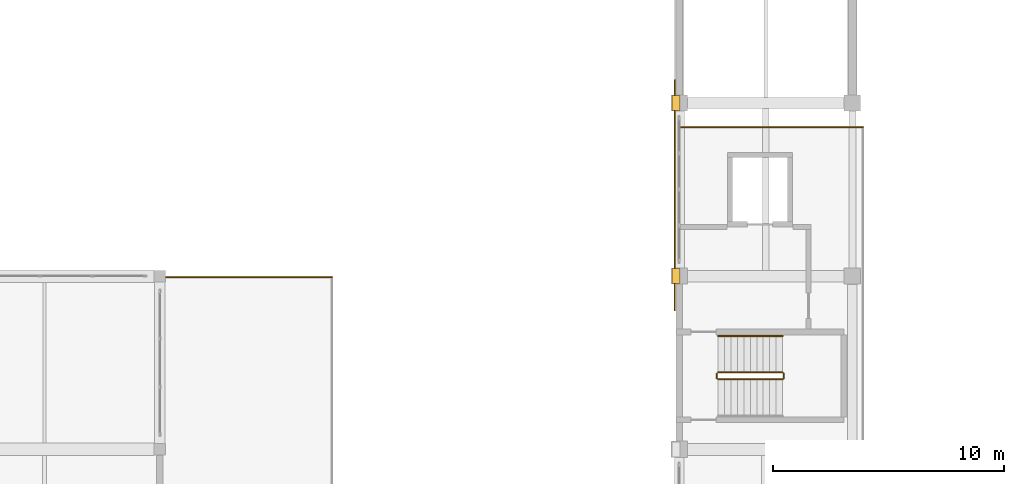
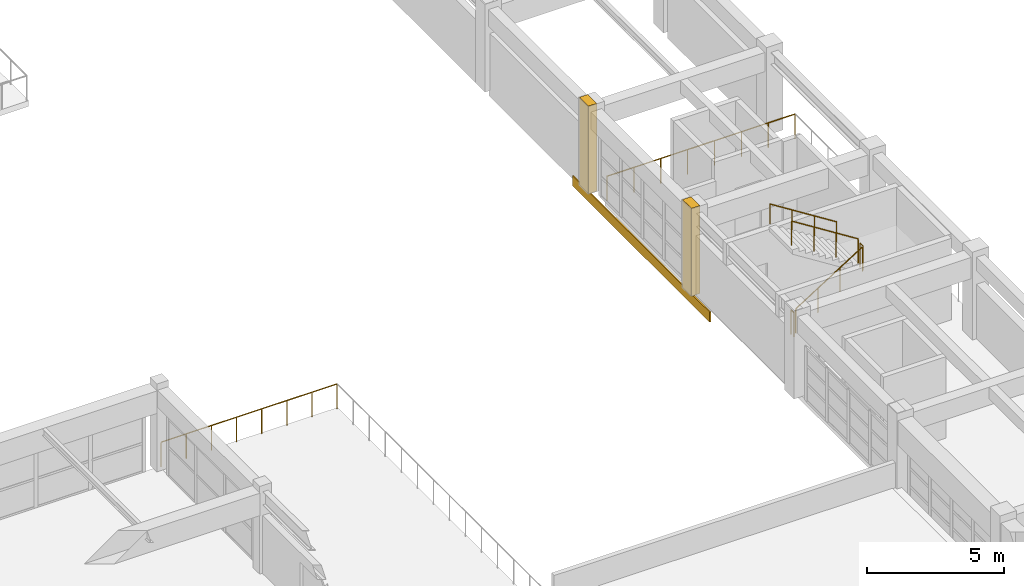
# One storey, part 75 of 82: 7 railings, 3 coverings.
"""IFC4 building model written with IfcOpenShell, lengths in metres."""

from ifc_helpers import new_model, si_unit, direction, frame, origin, origin_2d, place, context, subcontext, project, spatial, rectangle, circle, extrude, material, layer, layer_set, type_object, element, save


model = new_model("IFC4")

# Units and contexts
model_context = context("Model", 3, precision=1e-05, world=origin(), true_north=direction((0.0, 1.0)))
body_context = subcontext(model_context, "Body", "Model", "MODEL_VIEW")
ifc_project = project(units=[si_unit("LENGTHUNIT", "METRE"), si_unit("AREAUNIT", "SQUARE_METRE"), si_unit("VOLUMEUNIT", "CUBIC_METRE"), si_unit("PLANEANGLEUNIT", "RADIAN"), si_unit("MASSUNIT", "GRAM", prefix="KILO")], contexts=[model_context])

# Site, building, storey
site_placement = place(None, origin())
site = spatial("IfcSite", under=ifc_project, at=site_placement, CompositionType="ELEMENT")
building_placement = place(site_placement, origin())
building = spatial("IfcBuilding", under=site, at=building_placement, Name="Qasida Concert Hall", CompositionType="ELEMENT")
storey_placement = place(building_placement, frame((0.0, 0.0, 17.10009765625)))
storey = spatial("IfcBuildingStorey", under=building, at=storey_placement, Name="L04", CompositionType="ELEMENT", Elevation=17.10009765625)

# Coverings
ifc_material_1 = material(Name="Glazed Levantine geometric terracotta spandrel relief", Category="masonry")
ifc_layer_1 = layer(ifc_material_1, 0.050048828125, Name="Glazed Levantine geometric terracotta spandrel relief")
ifc_layer_set_1 = layer_set([ifc_layer_1], Name="Glazed Levantine geometric terracotta spandrel relief")
covering_type_1 = type_object("IfcCoveringType", Name="CV-CL-1", PredefinedType="CLADDING", material=ifc_layer_set_1)
covering_placement = place(storey_placement, frame((52.300048828125, 56.0, -0.47509765625), z_axis=(0.0, 0.0, 1.0), x_axis=(1.0, 0.0, 0.0)))
element("IfcCovering", 1, at=covering_placement, inside=storey, type_object=covering_type_1, Name="L04 terracotta spandrel frieze W04", PredefinedType="CLADDING", context=body_context, shape_type="SweptSolid", body=[
    extrude(rectangle(XDim=0.050048828125, YDim=10.0, at=origin_2d()), origin(), (0.0, 0.0, 1.0), 0.449951171875),
])
ifc_material_2 = material(Name="Projecting fluted Lebanese limestone Art Deco pilaster", Category="masonry")
ifc_layer_2 = layer(ifc_material_2, 0.35009765625, Name="Projecting fluted Lebanese limestone Art Deco pilaster")
ifc_layer_set_2 = layer_set([ifc_layer_2], Name="Projecting fluted Lebanese limestone Art Deco pilaster")
covering_type_2 = type_object("IfcCoveringType", Name="CV-PIL-650", PredefinedType="CLADDING", material=ifc_layer_set_2)
for number, where, z_axis, x_axis, name in (
    (2, (52.364990234375, 52.5, 0.0), (0.0, 0.0, 1.0), (1.0, 0.0, 0.0), "L04 fluted limestone pilaster 0047"),
    (3, (52.364990234375, 60.0, 0.0), (0.0, 0.0, 1.0), (1.0, 0.0, 0.0), "L04 fluted limestone pilaster 0061"),
):
    element("IfcCovering", number, at=place(storey_placement, frame(where, z_axis=z_axis, x_axis=x_axis)), inside=storey, type_object=covering_type_2, Name=name, PredefinedType="CLADDING", context=body_context, shape_type="SweptSolid", body=[
        extrude(rectangle(XDim=0.35009765625, YDim=0.64990234375, at=origin_2d()), origin(), (0.0, 0.0, 1.0), 3.89990234375),
    ])

# Railings
ifc_material_3 = material(Name="Carved Lebanese limestone and bronze top rail", Category="masonry")
ifc_layer_3 = layer(ifc_material_3, 0.10009765625, Name="Carved Lebanese limestone and bronze top rail")
ifc_layer_set_3 = layer_set([ifc_layer_3], Name="Carved Lebanese limestone and bronze top rail")
railing_type_1 = type_object("IfcRailingType", Name="RL-BAL-1100", PredefinedType="BALUSTRADE", material=ifc_layer_set_3)
railing_1_placement = place(storey_placement, frame((37.449951171875, 52.449951171875, 0.0)))
element("IfcRailing", 4, at=railing_1_placement, inside=storey, type_object=railing_type_1, Name="L04 Middle terrace balustrade 0007", PredefinedType="BALUSTRADE", context=body_context, shape_type="SweptSolid", body=[
    extrude(circle(Radius=0.02392578125, at=origin_2d()), frame((0.0, 0.0, 1.09619140625), z_axis=(-1.0, 0.0, 0.0), x_axis=(0.0, -1.0, 0.0)), (0.0, 0.0, 1.0), 7.39990234375),
    extrude(circle(Radius=0.02099609375, at=origin_2d()), origin(), (0.0, 0.0, 1.0), 1.072021484375),
    extrude(circle(Radius=0.02099609375, at=origin_2d()), frame((-1.05712890625, 0.0, 0.0)), (0.0, 0.0, 1.0), 1.072021484375),
    extrude(circle(Radius=0.02099609375, at=origin_2d()), frame((-2.1142578125, 0.0, 0.0)), (0.0, 0.0, 1.0), 1.072021484375),
    extrude(circle(Radius=0.02099609375, at=origin_2d()), frame((-3.17138671875, 0.0, 0.0)), (0.0, 0.0, 1.0), 1.072021484375),
    extrude(circle(Radius=0.02099609375, at=origin_2d()), frame((-4.228515625, 0.0, 0.0)), (0.0, 0.0, 1.0), 1.072021484375),
    extrude(circle(Radius=0.02099609375, at=origin_2d()), frame((-5.28564453125, 0.0, 0.0)), (0.0, 0.0, 1.0), 1.072021484375),
    extrude(circle(Radius=0.02099609375, at=origin_2d()), frame((-6.3427734375, 0.0, 0.0)), (0.0, 0.0, 1.0), 1.072021484375),
    extrude(circle(Radius=0.02099609375, at=origin_2d()), frame((-7.39990234375, 0.0, 0.0)), (0.0, 0.0, 1.0), 1.072021484375),
])
ifc_material_4 = material(Name="Patinated architectural bronze and laminated glass infill", Category="glass")
ifc_layer_4 = layer(ifc_material_4, 0.080078125, Name="Patinated architectural bronze and laminated glass infill")
ifc_layer_set_4 = layer_set([ifc_layer_4], Name="Patinated architectural bronze and laminated glass infill")
railing_type_2 = type_object("IfcRailingType", Name="RL-GRD-1100", PredefinedType="GUARDRAIL", material=ifc_layer_set_4)
railing_2_placement = place(storey_placement, frame((52.550048828125, 58.949951171875, 0.0)))
element("IfcRailing", 5, at=railing_2_placement, inside=storey, type_object=railing_type_2, Name="L04 Symphony upper gallery guardrail 0113", PredefinedType="GUARDRAIL", context=body_context, shape_type="SweptSolid", body=[
    extrude(circle(Radius=0.02392578125, at=origin_2d()), frame((0.0, 0.0, 1.09619140625), z_axis=(1.0, 0.0, 0.0), x_axis=(0.0, 1.0, 0.0)), (0.0, 0.0, 1.0), 7.909912109375),
    extrude(circle(Radius=0.02099609375, at=origin_2d()), origin(), (0.0, 0.0, 1.0), 1.072021484375),
    extrude(circle(Radius=0.02099609375, at=origin_2d()), frame((1.1298828125, 0.0, 0.0)), (0.0, 0.0, 1.0), 1.072021484375),
    extrude(circle(Radius=0.02099609375, at=origin_2d()), frame((2.260009765625, 0.0, 0.0)), (0.0, 0.0, 1.0), 1.072021484375),
    extrude(circle(Radius=0.02099609375, at=origin_2d()), frame((3.389892578125, 0.0, 0.0)), (0.0, 0.0, 1.0), 1.072021484375),
    extrude(circle(Radius=0.02099609375, at=origin_2d()), frame((4.52001953125, 0.0, 0.0)), (0.0, 0.0, 1.0), 1.072021484375),
    extrude(circle(Radius=0.02099609375, at=origin_2d()), frame((5.64990234375, 0.0, 0.0)), (0.0, 0.0, 1.0), 1.072021484375),
    extrude(circle(Radius=0.02099609375, at=origin_2d()), frame((6.780029296875, 0.0, 0.0)), (0.0, 0.0, 1.0), 1.072021484375),
    extrude(circle(Radius=0.02099609375, at=origin_2d()), frame((7.909912109375, 0.0, 0.0)), (0.0, 0.0, 1.0), 1.072021484375),
])
railing_3_placement = place(storey_placement, frame((54.179931640625, 48.030029296875, 0.17724609375)))
element("IfcRailing", 6, at=railing_3_placement, inside=storey, type_object=railing_type_2, Name="L04 ST-01 stair guard 1", PredefinedType="GUARDRAIL", context=body_context, shape_type="SweptSolid", body=[
    extrude(circle(Radius=0.02392578125, at=origin_2d()), frame((0.0, 0.0, 1.076171875), z_axis=(0.844908973607, 0.0, 0.534910110503), x_axis=(0.0, 1.0, 0.0)), (0.0, 0.0, 1.0), 3.31396484375),
    extrude(circle(Radius=0.02099609375, at=origin_2d()), origin(), (0.0, 0.0, 1.0), 1.052001953125),
    extrude(circle(Radius=0.02099609375, at=origin_2d()), frame((0.933349609375, 0.0, 0.5908203125)), (0.0, 0.0, 1.0), 1.052001953125),
    extrude(circle(Radius=0.02099609375, at=origin_2d()), frame((1.86669921875, 0.0, 1.181884765625)), (0.0, 0.0, 1.0), 1.052001953125),
    extrude(circle(Radius=0.02099609375, at=origin_2d()), frame((2.800048828125, 0.0, 1.772705078125)), (0.0, 0.0, 1.0), 1.052001953125),
])
railing_4_placement = place(storey_placement, frame((57.030029296875, 48.080078125, 1.949951171875)))
element("IfcRailing", 7, at=railing_4_placement, inside=storey, type_object=railing_type_2, Name="L04 ST-01 stair guard 2", PredefinedType="GUARDRAIL", context=body_context, shape_type="SweptSolid", body=[
    extrude(circle(Radius=0.02392578125, at=origin_2d()), frame((0.0, 0.0, 1.076171875), z_axis=(0.0, 1.0, 0.0), x_axis=(-1.0, 0.0, 0.0)), (0.0, 0.0, 1.0), 0.199951171875),
    extrude(circle(Radius=0.02099609375, at=origin_2d()), origin(), (0.0, 0.0, 1.0), 1.052001953125),
    extrude(circle(Radius=0.02099609375, at=origin_2d()), frame((0.0, 0.199951171875, 0.0)), (0.0, 0.0, 1.0), 1.052001953125),
])
railing_5_placement = place(storey_placement, frame((56.97998046875, 48.330078125, 2.127197265625)))
element("IfcRailing", 8, at=railing_5_placement, inside=storey, type_object=railing_type_2, Name="L04 ST-01 stair guard 3", PredefinedType="GUARDRAIL", context=body_context, shape_type="SweptSolid", body=[
    extrude(circle(Radius=0.02392578125, at=origin_2d()), frame((0.0, 0.0, 1.076171875), z_axis=(-0.844908973607, 0.0, 0.534910110503), x_axis=(0.0, -1.0, 0.0)), (0.0, 0.0, 1.0), 3.31396484375),
    extrude(circle(Radius=0.02099609375, at=origin_2d()), origin(), (0.0, 0.0, 1.0), 1.052001953125),
    extrude(circle(Radius=0.02099609375, at=origin_2d()), frame((-0.933349609375, 0.0, 0.5908203125)), (0.0, 0.0, 1.0), 1.052001953125),
    extrude(circle(Radius=0.02099609375, at=origin_2d()), frame((-1.86669921875, 0.0, 1.181884765625)), (0.0, 0.0, 1.0), 1.052001953125),
    extrude(circle(Radius=0.02099609375, at=origin_2d()), frame((-2.800048828125, 0.0, 1.772705078125)), (0.0, 0.0, 1.0), 1.052001953125),
])
railing_6_placement = place(storey_placement, frame((54.1298828125, 48.080078125, 0.0)))
element("IfcRailing", 9, at=railing_6_placement, inside=storey, type_object=railing_type_2, Name="L04 ST-01 stair guard 4", PredefinedType="GUARDRAIL", context=body_context, shape_type="SweptSolid", body=[
    extrude(circle(Radius=0.02392578125, at=origin_2d()), frame((0.0, 0.0, 1.076171875), z_axis=(0.0, 1.0, 0.0), x_axis=(-1.0, 0.0, 0.0)), (0.0, 0.0, 1.0), 0.199951171875),
    extrude(circle(Radius=0.02099609375, at=origin_2d()), origin(), (0.0, 0.0, 1.0), 1.052001953125),
    extrude(circle(Radius=0.02099609375, at=origin_2d()), frame((0.0, 0.199951171875, 0.0)), (0.0, 0.0, 1.0), 1.052001953125),
])
ifc_material_5 = material(Name="Patinated tubular architectural bronze", Category="steel")
ifc_layer_5 = layer(ifc_material_5, 0.050048828125, Name="Patinated tubular architectural bronze")
ifc_layer_set_5 = layer_set([ifc_layer_5], Name="Patinated tubular architectural bronze")
railing_type_3 = type_object("IfcRailingType", Name="RL-HND-900", PredefinedType="HANDRAIL", material=ifc_layer_set_5)
railing_7_placement = place(storey_placement, frame((56.97998046875, 49.909912109375, 2.127197265625)))
element("IfcRailing", 10, at=railing_7_placement, inside=storey, type_object=railing_type_3, Name="L04 ST-01 stair handrail 2", PredefinedType="HANDRAIL", context=body_context, shape_type="SweptSolid", body=[
    extrude(circle(Radius=0.02392578125, at=origin_2d()), frame((0.0, 0.0, 0.8759765625), z_axis=(-0.844908973607, 0.0, 0.534910110503), x_axis=(0.0, -1.0, 0.0)), (0.0, 0.0, 1.0), 3.31396484375),
    extrude(circle(Radius=0.02099609375, at=origin_2d()), origin(), (0.0, 0.0, 1.0), 0.851806640625),
    extrude(circle(Radius=0.02099609375, at=origin_2d()), frame((-0.933349609375, 0.0, 0.5908203125)), (0.0, 0.0, 1.0), 0.851806640625),
    extrude(circle(Radius=0.02099609375, at=origin_2d()), frame((-1.86669921875, 0.0, 1.181884765625)), (0.0, 0.0, 1.0), 0.851806640625),
    extrude(circle(Radius=0.02099609375, at=origin_2d()), frame((-2.800048828125, 0.0, 1.772705078125)), (0.0, 0.0, 1.0), 0.851806640625),
])

save(model, "model.ifc")
